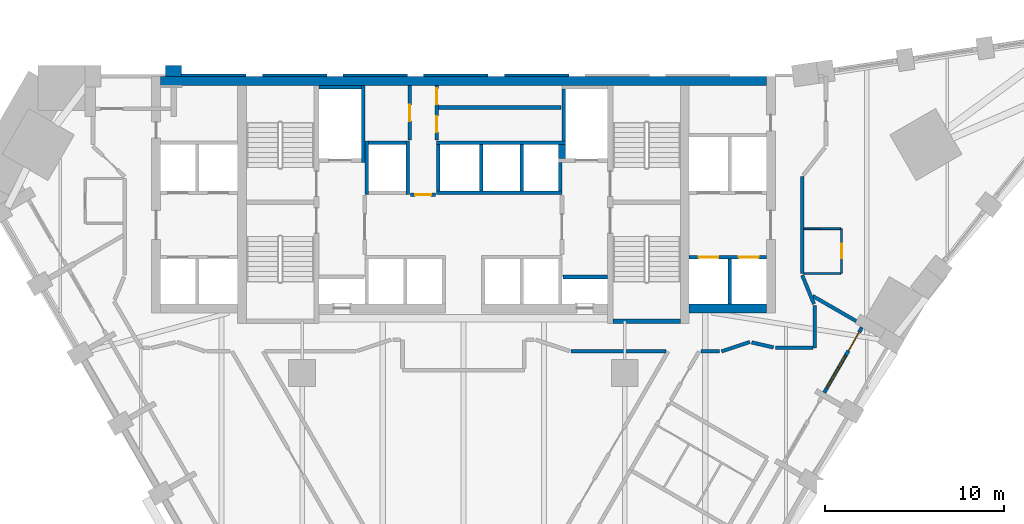
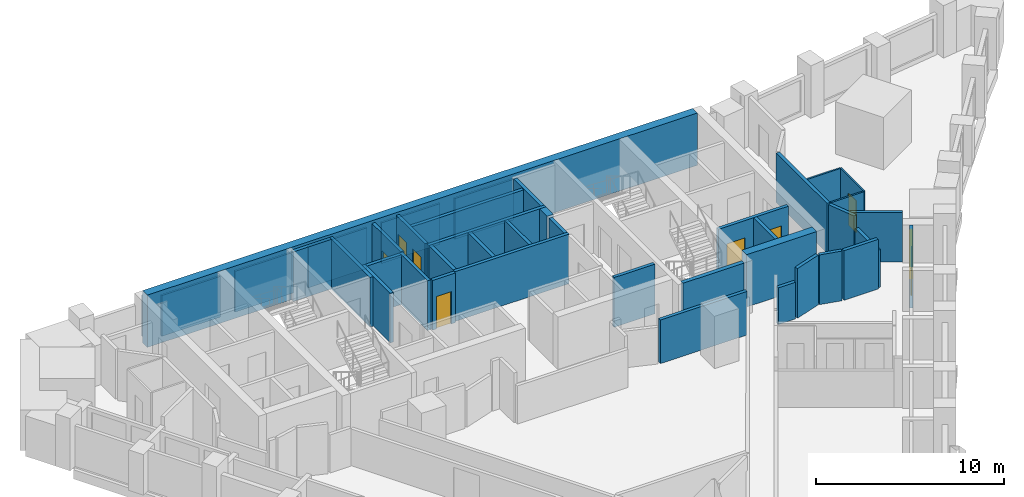
# One storey, part 7 of 10: 42 walls, 8 doors, 1 window, 9 openings.
"""IFC4 building model written with IfcOpenShell, lengths in metres."""

import ifcopenshell
import ifcopenshell.guid

model = None  # the IFC model being written
_history = None  # IfcOwnerHistory: only IFC2X3 demands one
_inside = {}  # id of a spatial element -> (the spatial element, [elements in it])
_under = {}  # id of a project, library or spatial element -> (it, [spatial elements below it])
_declared = {}  # id of a project -> (the project, [libraries it declares])
_typed = {}  # id of a type object -> (the type object, [elements of that type])
_made_of = {}  # id of a material, layer set ... -> (it, [elements and type objects made of it])


def new_model(schema):
    """Start an empty IFC model of exactly this schema.

    Asked for "IFC4X3", IfcOpenShell would pick the latest addendum, in which some entities
    have other attributes; the version numbers below select the first issue.
    IFC2X3 requires an IfcOwnerHistory on every rooted entity: one is made here for all.
    """
    global model, _history
    if schema == "IFC4X3":
        model = ifcopenshell.file(schema_version=(4, 3, 0, 0))
    else:
        model = ifcopenshell.file(schema=schema)
    _inside.clear()
    _under.clear()
    _declared.clear()
    _typed.clear()
    _made_of.clear()
    _history = None
    if model.schema == "IFC2X3":
        org = make("IfcOrganization", Name="unknown")
        user = make(
            "IfcPersonAndOrganization",
            ThePerson=make("IfcPerson", FamilyName="unknown"),
            TheOrganization=org,
        )
        app = make(
            "IfcApplication",
            ApplicationDeveloper=org,
            Version="unknown",
            ApplicationFullName="unknown",
            ApplicationIdentifier="unknown",
        )
        _history = make(
            "IfcOwnerHistory",
            OwningUser=user,
            OwningApplication=app,
            ChangeAction="ADDED",
            CreationDate=0,
        )
    return model


def make(cls, **values):
    """One entity of the class cls with the attributes given. An attribute that is None is left unset."""
    return model.create_entity(
        cls, **{name: value for name, value in values.items() if value is not None}
    )


def rooted(cls, **values):
    """An entity with a GlobalId (a new one), such as an element, a storey or a relation."""
    return make(cls, GlobalId=ifcopenshell.guid.new(), OwnerHistory=_history, **values)


def si_unit(unit_type, name, prefix=None):
    """IfcSIUnit, for example si_unit("LENGTHUNIT", "METRE", prefix="MILLI")."""
    return make("IfcSIUnit", UnitType=unit_type, Prefix=prefix, Name=name)


def assignment(units):
    """IfcUnitAssignment: the units of a project."""
    return None if units is None else make("IfcUnitAssignment", Units=units)


def point(xyz):
    """IfcCartesianPoint."""
    return None if xyz is None else make("IfcCartesianPoint", Coordinates=xyz)


def direction(xyz):
    """IfcDirection."""
    return None if xyz is None else make("IfcDirection", DirectionRatios=xyz)


def frame(location, z_axis=None, x_axis=None):
    """IfcAxis2Placement3D, a coordinate frame: its origin and axes. An axis left out is left unset."""
    return make(
        "IfcAxis2Placement3D",
        Location=point(location),
        Axis=direction(z_axis),
        RefDirection=direction(x_axis),
    )


def frame_2d(location, x_axis=None):
    """IfcAxis2Placement2D, a coordinate frame in the plane: its origin and x axis."""
    return make(
        "IfcAxis2Placement2D", Location=point(location), RefDirection=direction(x_axis)
    )


def origin():
    """The frame at (0, 0, 0) with its axes left unset."""
    return frame((0.0, 0.0, 0.0))


def place(relative_to, where):
    """IfcLocalPlacement: puts the frame where relative to a parent placement (None: the world)."""
    return make(
        "IfcLocalPlacement", PlacementRelTo=relative_to, RelativePlacement=where
    )


def context(
    kind, dimensions, precision=None, world=None, true_north=None, identifier=None
):
    """IfcGeometricRepresentationContext, for example the 3D "Model" context."""
    return make(
        "IfcGeometricRepresentationContext",
        ContextIdentifier=identifier,
        ContextType=kind,
        CoordinateSpaceDimension=dimensions,
        Precision=precision,
        WorldCoordinateSystem=world,
        TrueNorth=true_north,
    )


def subcontext(parent, identifier, kind, view, scale=None):
    """IfcGeometricRepresentationSubContext, for example "Body" below "Model"."""
    return make(
        "IfcGeometricRepresentationSubContext",
        ContextIdentifier=identifier,
        ContextType=kind,
        ParentContext=parent,
        TargetScale=scale,
        TargetView=view,
    )


def project(units=None, contexts=None):
    """IfcProject with its units and contexts."""
    return rooted(
        "IfcProject",
        Name="project",
        RepresentationContexts=contexts,
        UnitsInContext=assignment(units),
    )


def spatial(cls, under=None, at=None, **own):
    """A site, building, storey or space (cls), placed at a placement, below another one or the project."""
    s = rooted(cls, ObjectPlacement=at, **own)
    if under is not None:
        _under.setdefault(under.id(), (under, []))[1].append(s)
    return s


def polyline(points):
    """IfcPolyline through the points."""
    return make("IfcPolyline", Points=[point(p) for p in points])


def profile(cls, at=None, kind="AREA", **sizes):
    """A parametric profile (cls). Its sizes go by their IFC names, for example OverallWidth=200.0."""
    return make(cls, ProfileType=kind, Position=at, **sizes)


def rectangle(**sizes):
    """IfcRectangleProfileDef."""
    return profile("IfcRectangleProfileDef", **sizes)


def outline(outer, holes=None, kind="AREA"):
    """IfcArbitraryClosedProfileDef: a profile drawn as a closed curve; with holes, ...WithVoids."""
    if holes is None:
        return make("IfcArbitraryClosedProfileDef", ProfileType=kind, OuterCurve=outer)
    return make(
        "IfcArbitraryProfileDefWithVoids",
        ProfileType=kind,
        OuterCurve=outer,
        InnerCurves=holes,
    )


def extrude(swept, where, along, depth):
    """IfcExtrudedAreaSolid: the profile swept, set in the frame where, extruded along a direction by depth."""
    return make(
        "IfcExtrudedAreaSolid",
        SweptArea=swept,
        Position=where,
        ExtrudedDirection=direction(along),
        Depth=depth,
    )


def shape(context_of_items, identifier, shape_type, items):
    """IfcShapeRepresentation: the items that make up one representation, for example the "Body"."""
    return make(
        "IfcShapeRepresentation",
        ContextOfItems=context_of_items,
        RepresentationIdentifier=identifier,
        RepresentationType=shape_type,
        Items=items,
    )


def material(Name=None, Category=None):
    """IfcMaterial."""
    return make("IfcMaterial", Name=Name, Category=Category)


def layer(
    of_material, thickness, ventilated=None, Name=None, Category=None, Priority=None
):
    """IfcMaterialLayer: one layer of a wall or slab, of a material (None: an air gap)."""
    return make(
        "IfcMaterialLayer",
        Material=of_material,
        LayerThickness=thickness,
        IsVentilated=ventilated,
        Name=Name,
        Category=Category,
        Priority=Priority,
    )


def layer_set(layers, Name=None):
    """IfcMaterialLayerSet."""
    return make("IfcMaterialLayerSet", MaterialLayers=layers, LayerSetName=Name)


def made_of(thing, what):
    """Note that an element or type object is made of a material, layer set ...; save() writes the relation."""
    if what is not None:
        _made_of.setdefault(what.id(), (what, []))[1].append(thing)
    return thing


def type_object(cls, material=None, **own):
    """A type object (cls), such as IfcWallType, which elements share."""
    return made_of(rooted(cls, **own), material)


def element(
    cls,
    number,
    at=None,
    inside=None,
    cuts=None,
    type_object=None,
    material=None,
    context=None,
    identifier="Body",
    shape_type=None,
    held_by="IfcProductDefinitionShape",
    body=None,
    shapes=None,
    **own,
):
    """One element of the class cls, such as IfcWall. Its Tag is "e" and its number.

    at: its placement. inside: the storey or other place that contains it. cuts: it is an
    opening in that element (IfcRelVoidsElement). A single representation is given by context,
    identifier, shape_type and body (its items); several are given by shapes. held_by: the class
    of the entity that holds the representations. save() writes the other relations.
    """
    e = rooted(cls, Tag="e%d" % number, ObjectPlacement=at, **own)
    if body is not None:
        shapes = [shape(context, identifier, shape_type, body)]
    if shapes is not None:
        e.Representation = make(held_by, Representations=shapes)
    if inside is not None:
        _inside.setdefault(inside.id(), (inside, []))[1].append(e)
    if cuts is not None:
        rooted(
            "IfcRelVoidsElement", RelatingBuildingElement=cuts, RelatedOpeningElement=e
        )
    if type_object is not None:
        _typed.setdefault(type_object.id(), (type_object, []))[1].append(e)
    return made_of(e, material)


def fill(opening, filler):
    """IfcRelFillsElement: the door or window that sits in an opening."""
    return rooted(
        "IfcRelFillsElement",
        RelatingOpeningElement=opening,
        RelatedBuildingElement=filler,
    )


def aggregate(whole, parts):
    """IfcRelAggregates: a whole, such as a stair, and the parts it consists of."""
    return rooted("IfcRelAggregates", RelatingObject=whole, RelatedObjects=parts)


def save(model, path):
    """Write the relations noted so far, then the file.

    IfcRelAggregates (storeys below a building ...), IfcRelContainedInSpatialStructure (elements
    in a storey), IfcRelDefinesByType, IfcRelAssociatesMaterial and IfcRelDeclares: one each for
    every whole, place, type object, material and project.
    """
    for whole, parts in _under.values():
        aggregate(whole, parts)
    for where, things in _inside.values():
        rooted(
            "IfcRelContainedInSpatialStructure",
            RelatedElements=things,
            RelatingStructure=where,
        )
    for kind, things in _typed.values():
        rooted("IfcRelDefinesByType", RelatedObjects=things, RelatingType=kind)
    for what, things in _made_of.values():
        rooted("IfcRelAssociatesMaterial", RelatedObjects=things, RelatingMaterial=what)
    for by, libraries in _declared.values():
        rooted("IfcRelDeclares", RelatingContext=by, RelatedDefinitions=libraries)
    model.write(path)


model = new_model("IFC4")

# Units and contexts
model_context = context("Model", 3, precision=1e-05, world=origin(), true_north=direction((0.0, 1.0)))
body_context = subcontext(model_context, "Body", "Model", "MODEL_VIEW")
ifc_project = project(units=[si_unit("LENGTHUNIT", "METRE"), si_unit("AREAUNIT", "SQUARE_METRE"), si_unit("VOLUMEUNIT", "CUBIC_METRE"), si_unit("PLANEANGLEUNIT", "RADIAN"), si_unit("MASSUNIT", "GRAM", prefix="KILO")], contexts=[model_context])

# Site, building, storey
site_placement = place(None, origin())
site = spatial("IfcSite", under=ifc_project, at=site_placement, CompositionType="ELEMENT")
building_placement = place(site_placement, origin())
building = spatial("IfcBuilding", under=site, at=building_placement, Name="Calabash Gate Tower", CompositionType="ELEMENT")
storey_placement = place(building_placement, frame((0.0, 0.0, 105.39990234375)))
storey = spatial("IfcBuildingStorey", under=building, at=storey_placement, Name="L23", CompositionType="ELEMENT", Elevation=105.39990234375)

# Walls
ifc_material_1 = material(Name="Terracotta brick masonry, exposed face", Category="masonry")
ifc_layer_1 = layer(ifc_material_1, 1.199951171875)
ifc_layer_set_1 = layer_set([ifc_layer_1], Name="Brick end wall 1200")
wall_type_1 = type_object("IfcWallType", Name="Brick end wall 1200", PredefinedType="SOLIDWALL", material=ifc_layer_set_1)
wall_1_placement = place(storey_placement, origin())
element("IfcWall", 1, at=wall_1_placement, inside=storey, type_object=wall_type_1, Name="Brick pier S06 N6.7a", PredefinedType="SOLIDWALL", context=body_context, shape_type="SweptSolid", body=[
    extrude(outline(polyline([(-15.718994140625, 19.052490234375), (-15.718994140625, 19.652587890625), (-16.619140625, 19.652587890625), (-16.619140625, 19.052490234375), (-15.718994140625, 19.052490234375)])), origin(), (0.0, 0.0, 1.0), 2.650146484375),
])
ifc_material_2 = material(Name="Concrete C80/95", Category="concrete")
ifc_layer_2 = layer(ifc_material_2, 0.25)
ifc_layer_set_2 = layer_set([ifc_layer_2], Name="Core wall 250 Concrete C80/95")
wall_type_2 = type_object("IfcWallType", Name="Core wall 250 Concrete C80/95", PredefinedType="SHEAR", material=ifc_layer_set_2)
wall_2_placement = place(storey_placement, frame((8.35009765625, 5.377685546875, 0.0), z_axis=(0.0, 0.0, 1.0), x_axis=(1.0, 0.0, 0.0)))
element("IfcWall", 2, at=wall_2_placement, inside=storey, type_object=wall_type_2, Name="Core wall Z2-SSE L23", PredefinedType="SHEAR", context=body_context, shape_type="SweptSolid", body=[
    extrude(rectangle(XDim=3.75, YDim=0.25, at=frame_2d((1.875, 0.0))), origin(), (0.0, 0.0, 1.0), 3.400146484375),
])
ifc_material_3 = material(Name="Concrete C80/95", Category="concrete")
ifc_layer_3 = layer(ifc_material_3, 0.5)
ifc_layer_set_3 = layer_set([ifc_layer_3], Name="Core wall 500 Concrete C80/95")
wall_type_3 = type_object("IfcWallType", Name="Core wall 500 Concrete C80/95", PredefinedType="SHEAR", material=ifc_layer_set_3)
wall_3_placement = place(storey_placement, frame((-16.89990234375, 18.802490234375, 0.0), z_axis=(0.0, 0.0, 1.0), x_axis=(1.0, 0.0, 0.0)))
element("IfcWall", 3, at=wall_3_placement, inside=storey, type_object=wall_type_3, Name="Core wall Z2-N L23", PredefinedType="SHEAR", context=body_context, shape_type="SweptSolid", body=[
    extrude(rectangle(XDim=33.7998046875, YDim=0.5, at=frame_2d((16.89990234375, 0.0))), origin(), (0.0, 0.0, 1.0), 3.400146484375),
])
wall_4_placement = place(storey_placement, frame((12.60009765625, 6.1025390625, 0.0), z_axis=(0.0, 0.0, 1.0), x_axis=(1.0, 0.0, 0.0)))
element("IfcWall", 4, at=wall_4_placement, inside=storey, type_object=wall_type_3, Name="Core wall Z2-SE L23", PredefinedType="SHEAR", context=body_context, shape_type="SweptSolid", body=[
    extrude(rectangle(XDim=4.2998046875, YDim=0.5, at=frame_2d((2.14990234375, 0.0))), origin(), (0.0, 0.0, 1.0), 3.400146484375),
])
ifc_material_4 = material(Name="Gypsum board on steel studs, mineral wool", Category="steel")
ifc_layer_4 = layer(ifc_material_4, 0.10009765625)
ifc_layer_set_4 = layer_set([ifc_layer_4], Name="Partition 100 gypsum board")
wall_type_4 = type_object("IfcWallType", Name="Partition 100 gypsum board", PredefinedType="PARTITIONING", material=ifc_layer_set_4)
wall_5_placement = place(storey_placement, frame((19.00048828125, 8.05419921875, 0.0), z_axis=(0.0, 0.0, 1.0), x_axis=(0.999999744716, -0.000714540725, 0.0)))
element("IfcWall", 5, at=wall_5_placement, inside=storey, type_object=wall_type_4, Name="Partition", PredefinedType="PARTITIONING", context=body_context, shape_type="SweptSolid", body=[
    extrude(rectangle(XDim=2.050048828125, YDim=0.10009765625, at=frame_2d((1.02490234375, 0.0))), origin(), (0.0, 0.0, 1.0), 3.22998046875),
])

# Wall, opening, door
wall_6_placement = place(storey_placement, frame((21.1005859375, 8.052734375, 0.0), z_axis=(0.0, 0.0, 1.0), x_axis=(0.0, 1.0, 0.0)))
wall_6 = element("IfcWall", 6, at=wall_6_placement, inside=storey, type_object=wall_type_4, Name="Partition", PredefinedType="PARTITIONING", context=body_context, shape_type="SweptSolid", body=[
    extrude(rectangle(XDim=2.5, YDim=0.10009765625, at=frame_2d((1.25, 0.0))), origin(), (0.0, 0.0, 1.0), 3.22998046875),
])
opening_1_placement = place(wall_6_placement, frame((0.85009765625, 0.0, 0.0)))
opening_1 = element("IfcOpeningElement", 7, at=opening_1_placement, cuts=wall_6, Name="Opening 22-24-010", PredefinedType="OPENING", context=body_context, shape_type="SweptSolid", body=[
    extrude(rectangle(XDim=0.800048828125, YDim=2.10009765625, at=frame_2d((0.39990234375, 1.050048828125))), frame((0.0, 0.06005859375, 0.0), z_axis=(0.0, -1.0, 0.0), x_axis=(1.0, 0.0, 0.0)), (0.0, 0.0, 1.0), 0.1201171875),
])
ifc_material_5 = material(Name="Painted timber door", Category="wood")
door_type_1 = type_object("IfcDoorType", Name="GD5 En-suite door 800x2100", OperationType="NOTDEFINED", PredefinedType="DOOR", material=ifc_material_5)
door_1_placement = place(opening_1_placement, origin())
door_1 = element("IfcDoor", 8, at=door_1_placement, inside=storey, type_object=door_type_1, Name="En-suite door", OperationType="SINGLE_SWING_LEFT", OverallHeight=2.10009765625, OverallWidth=0.800048828125, PredefinedType="DOOR", context=body_context, shape_type="SweptSolid", body=[
    extrude(rectangle(XDim=0.800048828125, YDim=2.10009765625, at=frame_2d((0.39990234375, 1.050048828125))), frame((0.0, 0.02490234375, 0.0), z_axis=(0.0, -1.0, 0.0), x_axis=(1.0, 0.0, 0.0)), (0.0, 0.0, 1.0), 0.050048828125),
])
fill(opening_1, door_1)

# Walls
wall_7_placement = place(storey_placement, frame((19.00048828125, 10.551025390625, 0.0), z_axis=(0.0, 0.0, 1.0), x_axis=(0.999999744716, 0.000714540725, 0.0)))
element("IfcWall", 9, at=wall_7_placement, inside=storey, type_object=wall_type_4, Name="Partition", PredefinedType="PARTITIONING", context=body_context, shape_type="SweptSolid", body=[
    extrude(rectangle(XDim=2.050048828125, YDim=0.10009765625, at=frame_2d((1.02490234375, 0.0))), origin(), (0.0, 0.0, 1.0), 3.22998046875),
])
ifc_material_6 = material(Name="Gypsum board on steel studs, mineral wool", Category="steel")
ifc_layer_5 = layer(ifc_material_6, 0.199951171875)
ifc_layer_set_5 = layer_set([ifc_layer_5], Name="Partition 200 gypsum board EI 60")
wall_type_5 = type_object("IfcWallType", Name="Partition 200 gypsum board EI 60", PredefinedType="PARTITIONING", material=ifc_layer_set_5)
wall_8_placement = place(storey_placement, frame((6.0, 3.69970703125, 0.0), z_axis=(0.0, 0.0, 1.0), x_axis=(1.0, 0.0, 0.0)))
element("IfcWall", 10, at=wall_8_placement, inside=storey, type_object=wall_type_5, Name="Partition", PredefinedType="PARTITIONING", context=body_context, shape_type="SweptSolid", body=[
    extrude(rectangle(XDim=5.314697265625, YDim=0.199951171875, at=frame_2d((2.6572265625, 0.0))), origin(), (0.0, 0.0, 1.0), 2.831787109375),
])
wall_9_placement = place(storey_placement, frame((13.24755859375, 3.699462890625, 0.0), z_axis=(0.0, 0.0, 1.0), x_axis=(1.0, 0.0, 0.0)))
element("IfcWall", 11, at=wall_9_placement, inside=storey, type_object=wall_type_5, Name="Partition", PredefinedType="PARTITIONING", context=body_context, shape_type="SweptSolid", body=[
    extrude(rectangle(XDim=1.052490234375, YDim=0.199951171875, at=frame_2d((0.5263671875, 0.0))), origin(), (0.0, 0.0, 1.0), 2.38427734375),
])
wall_10_placement = place(storey_placement, frame((14.400146484375, 3.699462890625, 0.0), z_axis=(0.0, 0.0, 1.0), x_axis=(0.948683298051, 0.316227766017, 0.0)))
element("IfcWall", 12, at=wall_10_placement, inside=storey, type_object=wall_type_5, Name="Partition", PredefinedType="PARTITIONING", context=body_context, shape_type="SweptSolid", body=[
    extrude(rectangle(XDim=1.66845703125, YDim=0.199951171875, at=frame_2d((0.834228515625, 0.0))), origin(), (0.0, 0.0, 1.0), 3.22998046875),
])
wall_11_placement = place(storey_placement, frame((17.39990234375, 3.8994140625, 0.0), z_axis=(0.0, 0.0, 1.0), x_axis=(0.999999993243, 0.000116252034, 0.0)))
element("IfcWall", 13, at=wall_11_placement, inside=storey, type_object=wall_type_5, Name="Partition", PredefinedType="PARTITIONING", context=body_context, shape_type="SweptSolid", body=[
    extrude(rectangle(XDim=2.10009765625, YDim=0.199951171875, at=frame_2d((1.050048828125, 0.0))), origin(), (0.0, 0.0, 1.0), 3.22998046875),
])
wall_12_placement = place(storey_placement, frame((19.60009765625, 3.899658203125, 0.0), z_axis=(0.0, 0.0, 1.0), x_axis=(0.000207511927, 0.999999978469, 0.0)))
element("IfcWall", 14, at=wall_12_placement, inside=storey, type_object=wall_type_5, Name="Partition", PredefinedType="PARTITIONING", context=body_context, shape_type="SweptSolid", body=[
    extrude(rectangle(XDim=2.35302734375, YDim=0.199951171875, at=frame_2d((1.176513671875, 0.0))), origin(), (0.0, 0.0, 1.0), 2.4501953125),
])
wall_13_placement = place(storey_placement, frame((16.080322265625, 4.20458984375, 0.0), z_axis=(0.0, 0.0, 1.0), x_axis=(0.974315694548, -0.225186428005, 0.0)))
element("IfcWall", 15, at=wall_13_placement, inside=storey, type_object=wall_type_5, Name="Partition", PredefinedType="PARTITIONING", context=body_context, shape_type="SweptSolid", body=[
    extrude(rectangle(XDim=1.25439453125, YDim=0.199951171875, at=frame_2d((0.627197265625, 0.0))), origin(), (0.0, 0.0, 1.0), 3.22998046875),
])
wall_14_placement = place(storey_placement, frame((18.904296875, 7.9541015625, 0.0), z_axis=(0.0, 0.0, 1.0), x_axis=(0.378643783121, -0.925542481739, 0.0)))
element("IfcWall", 16, at=wall_14_placement, inside=storey, type_object=wall_type_5, Name="Partition", PredefinedType="PARTITIONING", context=body_context, shape_type="SweptSolid", body=[
    extrude(rectangle(XDim=1.73828125, YDim=0.199951171875, at=frame_2d((0.869140625, 0.0))), origin(), (0.0, 0.0, 1.0), 3.22998046875),
])
wall_15_placement = place(storey_placement, frame((19.487060546875, 6.794189453125, 0.0), z_axis=(0.0, 0.0, 1.0), x_axis=(0.866320237392, -0.499488985149, 0.0)))
element("IfcWall", 17, at=wall_15_placement, inside=storey, type_object=wall_type_5, Name="Partition", PredefinedType="PARTITIONING", context=body_context, shape_type="SweptSolid", body=[
    extrude(rectangle(XDim=2.806640625, YDim=0.199951171875, at=frame_2d((1.4033203125, 0.0))), origin(), (0.0, 0.0, 1.0), 3.22998046875),
])
wall_16_placement = place(storey_placement, frame((18.902099609375, 8.052734375, 0.0), z_axis=(0.0, 0.0, 1.0), x_axis=(0.0, 1.0, 0.0)))
element("IfcWall", 18, at=wall_16_placement, inside=storey, type_object=wall_type_5, Name="Partition", PredefinedType="PARTITIONING", context=body_context, shape_type="SweptSolid", body=[
    extrude(rectangle(XDim=5.399658203125, YDim=0.199951171875, at=frame_2d((2.69970703125, 0.0))), origin(), (0.0, 0.0, 1.0), 3.22998046875),
])
ifc_material_7 = material(Name="Concrete C40/50", Category="concrete")
ifc_layer_6 = layer(ifc_material_7, 0.199951171875)
ifc_layer_set_6 = layer_set([ifc_layer_6], Name="Shaft wall 200 Concrete C40/50")
wall_type_6 = type_object("IfcWallType", Name="Shaft wall 200 Concrete C40/50", PredefinedType="SOLIDWALL", material=ifc_layer_set_6)
for number, where, z_axis, x_axis, name in (
    (19, (14.85009765625, 6.3525390625, 0.0), (0.0, 0.0, 1.0), (0.0, 1.0, 0.0), "Shaft wall"),
    (20, (5.550048828125, 7.8525390625, 0.0), (0.0, 0.0, 1.0), (1.0, 0.0, 0.0), "Shaft wall"),
):
    element("IfcWall", number, at=place(storey_placement, frame(where, z_axis=z_axis, x_axis=x_axis)), inside=storey, type_object=wall_type_6, Name=name, PredefinedType="SOLIDWALL", context=body_context, shape_type="SweptSolid", body=[
        extrude(rectangle(XDim=2.5, YDim=0.199951171875, at=frame_2d((1.25, 0.0))), origin(), (0.0, 0.0, 1.0), 3.22998046875),
    ])

# Wall, openings, doors
wall_17_placement = place(storey_placement, frame((12.60009765625, 8.95263671875, 0.0), z_axis=(0.0, 0.0, 1.0), x_axis=(1.0, 0.0, 0.0)))
wall_17 = element("IfcWall", 21, at=wall_17_placement, inside=storey, type_object=wall_type_6, Name="Shaft wall", PredefinedType="SOLIDWALL", context=body_context, shape_type="SweptSolid", body=[
    extrude(rectangle(XDim=4.2998046875, YDim=0.199951171875, at=frame_2d((2.14990234375, 0.0))), origin(), (0.0, 0.0, 1.0), 3.22998046875),
])
opening_2_placement = place(wall_17_placement, frame((0.52490234375, 0.0, 0.0)))
opening_2 = element("IfcOpeningElement", 22, at=opening_2_placement, cuts=wall_17, Name="Opening LD-LR5", PredefinedType="OPENING", context=body_context, shape_type="SweptSolid", body=[
    extrude(rectangle(XDim=1.10009765625, YDim=2.10009765625, at=frame_2d((0.550048828125, 1.050048828125))), frame((0.0, 0.10986328125, 0.0), z_axis=(0.0, -1.0, 0.0), x_axis=(1.0, 0.0, 0.0)), (0.0, 0.0, 1.0), 0.219970703125),
])
opening_3_placement = place(wall_17_placement, frame((2.77490234375, 0.0, 0.0)))
opening_3 = element("IfcOpeningElement", 23, at=opening_3_placement, cuts=wall_17, Name="Opening LD-LR6", PredefinedType="OPENING", context=body_context, shape_type="SweptSolid", body=[
    extrude(rectangle(XDim=1.10009765625, YDim=2.10009765625, at=frame_2d((0.550048828125, 1.050048828125))), frame((0.0, 0.10986328125, 0.0), z_axis=(0.0, -1.0, 0.0), x_axis=(1.0, 0.0, 0.0)), (0.0, 0.0, 1.0), 0.219970703125),
])
ifc_material_8 = material(Name="Stainless steel sliding door leaves", Category="steel")
door_type_2 = type_object("IfcDoorType", Name="Lift landing door LS1 1100x2100 FD90", OperationType="DOUBLE_DOOR_SLIDING", PredefinedType="DOOR", material=ifc_material_8)
door_2_placement = place(opening_2_placement, origin())
door_2 = element("IfcDoor", 24, at=door_2_placement, inside=storey, type_object=door_type_2, Name="Lift landing door LR5", OperationType="DOUBLE_DOOR_SLIDING", OverallHeight=2.10009765625, OverallWidth=1.10009765625, PredefinedType="DOOR", context=body_context, shape_type="SweptSolid", body=[
    extrude(rectangle(XDim=1.10009765625, YDim=2.10009765625, at=frame_2d((0.550048828125, 1.050048828125))), frame((0.0, 0.02490234375, 0.0), z_axis=(0.0, -1.0, 0.0), x_axis=(1.0, 0.0, 0.0)), (0.0, 0.0, 1.0), 0.050048828125),
])
fill(opening_2, door_2)
door_3_placement = place(opening_3_placement, origin())
door_3 = element("IfcDoor", 25, at=door_3_placement, inside=storey, type_object=door_type_2, Name="Lift landing door LR6", OperationType="DOUBLE_DOOR_SLIDING", OverallHeight=2.10009765625, OverallWidth=1.10009765625, PredefinedType="DOOR", context=body_context, shape_type="SweptSolid", body=[
    extrude(rectangle(XDim=1.10009765625, YDim=2.10009765625, at=frame_2d((0.550048828125, 1.050048828125))), frame((0.0, 0.02490234375, 0.0), z_axis=(0.0, -1.0, 0.0), x_axis=(1.0, 0.0, 0.0)), (0.0, 0.0, 1.0), 0.050048828125),
])
fill(opening_3, door_3)

# Wall, opening, door
wall_18_placement = place(storey_placement, frame((-2.949951171875, 12.45263671875, 0.0), z_axis=(0.0, 0.0, 1.0), x_axis=(1.0, 0.0, 0.0)))
wall_18 = element("IfcWall", 26, at=wall_18_placement, inside=storey, type_object=wall_type_6, Name="Shaft wall", PredefinedType="SOLIDWALL", context=body_context, shape_type="SweptSolid", body=[
    extrude(rectangle(XDim=1.39990234375, YDim=0.199951171875, at=frame_2d((0.699951171875, 0.0))), origin(), (0.0, 0.0, 1.0), 3.22998046875),
])
opening_4_placement = place(wall_18_placement, frame((0.25, 0.0, 0.0)))
opening_4 = element("IfcOpeningElement", 27, at=opening_4_placement, cuts=wall_18, Name="Opening H6-005", PredefinedType="OPENING", context=body_context, shape_type="SweptSolid", body=[
    extrude(rectangle(XDim=0.89990234375, YDim=2.10009765625, at=frame_2d((0.449951171875, 1.050048828125))), frame((0.0, 0.10986328125, 0.0), z_axis=(0.0, -1.0, 0.0), x_axis=(1.0, 0.0, 0.0)), (0.0, 0.0, 1.0), 0.219970703125),
])
ifc_material_9 = material(Name="Steel fire door set with fire-resisting glazing", Category="steel")
door_type_3 = type_object("IfcDoorType", Name="Fire door D06 900x2100 FD60", OperationType="NOTDEFINED", PredefinedType="DOOR", material=ifc_material_9)
door_4_placement = place(opening_4_placement, origin())
door_4 = element("IfcDoor", 28, at=door_4_placement, inside=storey, type_object=door_type_3, Name="Service Corridor door", OperationType="SINGLE_SWING_RIGHT", OverallHeight=2.10009765625, OverallWidth=0.89990234375, PredefinedType="DOOR", context=body_context, shape_type="SweptSolid", body=[
    extrude(rectangle(XDim=0.89990234375, YDim=2.10009765625, at=frame_2d((0.449951171875, 1.050048828125))), frame((0.0, 0.02490234375, 0.0), z_axis=(0.0, -1.0, 0.0), x_axis=(1.0, 0.0, 0.0)), (0.0, 0.0, 1.0), 0.050048828125),
])
fill(opening_4, door_4)

# Walls
for number, where, z_axis, x_axis, name in (
    (29, (-5.39990234375, 12.45263671875, 0.0), (0.0, 0.0, 1.0), (0.0, 1.0, 0.0), "Shaft wall"),
    (30, (-3.10009765625, 12.45263671875, 0.0), (0.0, 0.0, 1.0), (0.0, 1.0, 0.0), "Shaft wall"),
):
    element("IfcWall", number, at=place(storey_placement, frame(where, z_axis=z_axis, x_axis=x_axis)), inside=storey, type_object=wall_type_6, Name=name, PredefinedType="SOLIDWALL", context=body_context, shape_type="SweptSolid", body=[
        extrude(rectangle(XDim=3.0, YDim=0.199951171875, at=frame_2d((1.5, 0.0))), origin(), (0.0, 0.0, 1.0), 3.22998046875),
    ])
wall_19_placement = place(storey_placement, frame((-1.5, 12.552490234375, 0.0), z_axis=(0.0, 0.0, 1.0), x_axis=(1.0, 0.0, 0.0)))
element("IfcWall", 31, at=wall_19_placement, inside=storey, type_object=wall_type_6, Name="Shaft wall", PredefinedType="SOLIDWALL", context=body_context, shape_type="SweptSolid", body=[
    extrude(rectangle(XDim=7.0, YDim=0.199951171875, at=frame_2d((3.5, 0.0))), origin(), (0.0, 0.0, 1.0), 3.22998046875),
])
for number, where, z_axis, x_axis, name in (
    (32, (-1.39990234375, 12.652587890625, 0.0), (0.0, 0.0, 1.0), (0.0, 1.0, 0.0), "Shaft wall"),
    (33, (1.0, 12.652587890625, 0.0), (0.0, 0.0, 1.0), (0.0, 1.0, 0.0), "Shaft wall"),
    (34, (3.25, 12.652587890625, 0.0), (0.0, 0.0, 1.0), (0.0, 1.0, 0.0), "Shaft wall"),
):
    element("IfcWall", number, at=place(storey_placement, frame(where, z_axis=z_axis, x_axis=x_axis)), inside=storey, type_object=wall_type_6, Name=name, PredefinedType="SOLIDWALL", context=body_context, shape_type="SweptSolid", body=[
        extrude(rectangle(XDim=2.60009765625, YDim=0.199951171875, at=frame_2d((1.300048828125, 0.0))), origin(), (0.0, 0.0, 1.0), 3.22998046875),
    ])
wall_20_placement = place(storey_placement, frame((5.39990234375, 12.652587890625, 0.0), z_axis=(0.0, 0.0, 1.0), x_axis=(0.0, 1.0, 0.0)))
element("IfcWall", 35, at=wall_20_placement, inside=storey, type_object=wall_type_6, Name="Shaft wall", PredefinedType="SOLIDWALL", context=body_context, shape_type="SweptSolid", body=[
    extrude(rectangle(XDim=1.60009765625, YDim=0.199951171875, at=frame_2d((0.800048828125, 0.0))), origin(), (0.0, 0.0, 1.0), 3.22998046875),
])
wall_21_placement = place(storey_placement, frame((-5.60009765625, 14.252685546875, 0.0), z_axis=(0.0, 0.0, 1.0), x_axis=(0.0, 1.0, 0.0)))
element("IfcWall", 36, at=wall_21_placement, inside=storey, type_object=wall_type_6, Name="Shaft wall", PredefinedType="SOLIDWALL", context=body_context, shape_type="SweptSolid", body=[
    extrude(rectangle(XDim=4.2998046875, YDim=0.199951171875, at=frame_2d((2.14990234375, 0.0))), origin(), (0.0, 0.0, 1.0), 3.22998046875),
])
wall_22_placement = place(storey_placement, frame((5.5, 14.45263671875, 0.0), z_axis=(0.0, 0.0, 1.0), x_axis=(0.0, 1.0, 0.0)))
element("IfcWall", 37, at=wall_22_placement, inside=storey, type_object=wall_type_6, Name="Shaft wall", PredefinedType="SOLIDWALL", context=body_context, shape_type="SweptSolid", body=[
    extrude(rectangle(XDim=0.800048828125, YDim=0.39990234375, at=frame_2d((0.39990234375, 0.0))), origin(), (0.0, 0.0, 1.0), 3.22998046875),
])
wall_23_placement = place(storey_placement, frame((-5.300048828125, 15.3525390625, 0.0), z_axis=(0.0, 0.0, 1.0), x_axis=(1.0, 0.0, 0.0)))
element("IfcWall", 38, at=wall_23_placement, inside=storey, type_object=wall_type_6, Name="Shaft wall", PredefinedType="SOLIDWALL", context=body_context, shape_type="SweptSolid", body=[
    extrude(rectangle(XDim=2.10009765625, YDim=0.199951171875, at=frame_2d((1.050048828125, 0.0))), origin(), (0.0, 0.0, 1.0), 3.22998046875),
])
wall_24_placement = place(storey_placement, frame((-1.5, 15.3525390625, 0.0), z_axis=(0.0, 0.0, 1.0), x_axis=(1.0, 0.0, 0.0)))
element("IfcWall", 39, at=wall_24_placement, inside=storey, type_object=wall_type_6, Name="Shaft wall", PredefinedType="SOLIDWALL", context=body_context, shape_type="SweptSolid", body=[
    extrude(rectangle(XDim=7.199951171875, YDim=0.199951171875, at=frame_2d((3.60009765625, 0.0))), origin(), (0.0, 0.0, 1.0), 3.22998046875),
])
wall_25_placement = place(storey_placement, frame((5.60009765625, 15.45263671875, 0.0), z_axis=(0.0, 0.0, 1.0), x_axis=(0.0, 1.0, 0.0)))
element("IfcWall", 40, at=wall_25_placement, inside=storey, type_object=wall_type_6, Name="Shaft wall", PredefinedType="SOLIDWALL", context=body_context, shape_type="SweptSolid", body=[
    extrude(rectangle(XDim=2.89990234375, YDim=0.199951171875, at=frame_2d((1.449951171875, 0.0))), origin(), (0.0, 0.0, 1.0), 3.22998046875),
])

# Wall, opening, door
wall_26_placement = place(storey_placement, frame((-3.0, 15.502685546875, 0.0), z_axis=(0.0, 0.0, 1.0), x_axis=(0.0, 1.0, 0.0)))
wall_26 = element("IfcWall", 41, at=wall_26_placement, inside=storey, type_object=wall_type_6, Name="Shaft wall", PredefinedType="SOLIDWALL", context=body_context, shape_type="SweptSolid", body=[
    extrude(rectangle(XDim=3.0498046875, YDim=0.199951171875, at=frame_2d((1.52490234375, 0.0))), origin(), (0.0, 0.0, 1.0), 3.22998046875),
])
opening_5_placement = place(wall_26_placement, frame((1.050048828125, 0.0, 0.0)))
opening_5 = element("IfcOpeningElement", 42, at=opening_5_placement, cuts=wall_26, Name="Opening H6-008", PredefinedType="OPENING", context=body_context, shape_type="SweptSolid", body=[
    extrude(rectangle(XDim=0.89990234375, YDim=2.10009765625, at=frame_2d((0.449951171875, 1.050048828125))), frame((0.0, 0.10986328125, 0.0), z_axis=(0.0, -1.0, 0.0), x_axis=(1.0, 0.0, 0.0)), (0.0, 0.0, 1.0), 0.219970703125),
])
door_5_placement = place(opening_5_placement, origin())
door_5 = element("IfcDoor", 43, at=door_5_placement, inside=storey, type_object=door_type_3, Name="Luggage Store door", OperationType="SINGLE_SWING_LEFT", OverallHeight=2.10009765625, OverallWidth=0.89990234375, PredefinedType="DOOR", context=body_context, shape_type="SweptSolid", body=[
    extrude(rectangle(XDim=0.89990234375, YDim=2.10009765625, at=frame_2d((0.449951171875, 1.050048828125))), frame((0.0, 0.02490234375, 0.0), z_axis=(0.0, -1.0, 0.0), x_axis=(1.0, 0.0, 0.0)), (0.0, 0.0, 1.0), 0.050048828125),
])
fill(opening_5, door_5)

# Wall, openings, doors
wall_27_placement = place(storey_placement, frame((-1.5, 15.502685546875, 0.0), z_axis=(0.0, 0.0, 1.0), x_axis=(0.0, 1.0, 0.0)))
wall_27 = element("IfcWall", 44, at=wall_27_placement, inside=storey, type_object=wall_type_6, Name="Shaft wall", PredefinedType="SOLIDWALL", context=body_context, shape_type="SweptSolid", body=[
    extrude(rectangle(XDim=3.0498046875, YDim=0.199951171875, at=frame_2d((1.52490234375, 0.0))), origin(), (0.0, 0.0, 1.0), 3.22998046875),
])
opening_6_placement = place(wall_27_placement, frame((0.429931640625, 0.0, 0.0)))
opening_6 = element("IfcOpeningElement", 45, at=opening_6_placement, cuts=wall_27, Name="Opening H6-009", PredefinedType="OPENING", context=body_context, shape_type="SweptSolid", body=[
    extrude(rectangle(XDim=0.89990234375, YDim=2.10009765625, at=frame_2d((0.449951171875, 1.050048828125))), frame((0.0, 0.10986328125, 0.0), z_axis=(0.0, -1.0, 0.0), x_axis=(1.0, 0.0, 0.0)), (0.0, 0.0, 1.0), 0.219970703125),
])
opening_7_placement = place(wall_27_placement, frame((1.97998046875, 0.0, 0.0)))
opening_7 = element("IfcOpeningElement", 46, at=opening_7_placement, cuts=wall_27, Name="Opening H6-010", PredefinedType="OPENING", context=body_context, shape_type="SweptSolid", body=[
    extrude(rectangle(XDim=0.89990234375, YDim=2.10009765625, at=frame_2d((0.449951171875, 1.050048828125))), frame((0.0, 0.10986328125, 0.0), z_axis=(0.0, -1.0, 0.0), x_axis=(1.0, 0.0, 0.0)), (0.0, 0.0, 1.0), 0.219970703125),
])
door_6_placement = place(opening_6_placement, origin())
door_6 = element("IfcDoor", 47, at=door_6_placement, inside=storey, type_object=door_type_3, Name="Comms Room door", OperationType="SINGLE_SWING_LEFT", OverallHeight=2.10009765625, OverallWidth=0.89990234375, PredefinedType="DOOR", context=body_context, shape_type="SweptSolid", body=[
    extrude(rectangle(XDim=0.89990234375, YDim=2.10009765625, at=frame_2d((0.449951171875, 1.050048828125))), frame((0.0, 0.02490234375, 0.0), z_axis=(0.0, -1.0, 0.0), x_axis=(1.0, 0.0, 0.0)), (0.0, 0.0, 1.0), 0.050048828125),
])
fill(opening_6, door_6)
door_7_placement = place(opening_7_placement, origin())
door_7 = element("IfcDoor", 48, at=door_7_placement, inside=storey, type_object=door_type_3, Name="Housekeeping Store door", OperationType="SINGLE_SWING_LEFT", OverallHeight=2.10009765625, OverallWidth=0.89990234375, PredefinedType="DOOR", context=body_context, shape_type="SweptSolid", body=[
    extrude(rectangle(XDim=0.89990234375, YDim=2.10009765625, at=frame_2d((0.449951171875, 1.050048828125))), frame((0.0, 0.02490234375, 0.0), z_axis=(0.0, -1.0, 0.0), x_axis=(1.0, 0.0, 0.0)), (0.0, 0.0, 1.0), 0.050048828125),
])
fill(opening_7, door_7)

# Walls
wall_28_placement = place(storey_placement, frame((-1.39990234375, 17.3125, 0.0), z_axis=(0.0, 0.0, 1.0), x_axis=(1.0, 0.0, 0.0)))
element("IfcWall", 49, at=wall_28_placement, inside=storey, type_object=wall_type_6, Name="Shaft wall", PredefinedType="SOLIDWALL", context=body_context, shape_type="SweptSolid", body=[
    extrude(rectangle(XDim=6.849853515625, YDim=0.199951171875, at=frame_2d((3.4248046875, 0.0))), origin(), (0.0, 0.0, 1.0), 3.22998046875),
])
wall_29_placement = place(storey_placement, frame((-8.050048828125, 18.45263671875, 0.0), z_axis=(0.0, 0.0, 1.0), x_axis=(1.0, 0.0, 0.0)))
element("IfcWall", 50, at=wall_29_placement, inside=storey, type_object=wall_type_6, Name="Shaft wall", PredefinedType="SOLIDWALL", context=body_context, shape_type="SweptSolid", body=[
    extrude(rectangle(XDim=2.35009765625, YDim=0.199951171875, at=frame_2d((1.175048828125, 0.0))), origin(), (0.0, 0.0, 1.0), 3.22998046875),
])
ifc_material_10 = material(Name="Terracotta brick masonry, perforated", Category="masonry")
ifc_layer_7 = layer(ifc_material_10, 0.1201171875)
ifc_layer_set_7 = layer_set([ifc_layer_7], Name="Terracotta jaali cladding B 120")
wall_type_7 = type_object("IfcWallType", Name="Terracotta jaali cladding B 120", PredefinedType="SOLIDWALL", material=ifc_layer_set_7)
wall_30_placement = place(storey_placement, origin())
element("IfcWall", 51, at=wall_30_placement, inside=storey, type_object=wall_type_7, Name="Jaali cladding S06 N6.3", PredefinedType="SOLIDWALL", context=body_context, shape_type="SweptSolid", body=[
    extrude(outline(polyline([(2.281005859375, 19.172607421875), (2.281005859375, 19.052490234375), (5.880859375, 19.052490234375), (5.880859375, 19.172607421875), (2.281005859375, 19.172607421875)])), origin(), (0.0, 0.0, 1.0), 2.650146484375),
])
wall_31_placement = place(storey_placement, origin())
element("IfcWall", 52, at=wall_31_placement, inside=storey, type_object=wall_type_7, Name="Jaali cladding S06 N6.5", PredefinedType="SOLIDWALL", context=body_context, shape_type="SweptSolid", body=[
    extrude(outline(polyline([(-6.718994140625, 19.172607421875), (-6.718994140625, 19.052490234375), (-3.119140625, 19.052490234375), (-3.119140625, 19.172607421875), (-6.718994140625, 19.172607421875)])), origin(), (0.0, 0.0, 1.0), 2.650146484375),
])
wall_32_placement = place(storey_placement, origin())
element("IfcWall", 53, at=wall_32_placement, inside=storey, type_object=wall_type_7, Name="Jaali cladding S06 N6.7", PredefinedType="SOLIDWALL", context=body_context, shape_type="SweptSolid", body=[
    extrude(outline(polyline([(-15.718505859375, 19.172607421875), (-15.718505859375, 19.052490234375), (-12.119140625, 19.052490234375), (-12.119140625, 19.172607421875), (-15.718505859375, 19.172607421875)])), origin(), (0.0, 0.0, 1.0), 2.650146484375),
])
ifc_material_11 = material(Name="Terracotta louvre blades in an aluminium frame", Category="masonry")
ifc_layer_8 = layer(ifc_material_11, 0.1201171875)
ifc_layer_set_8 = layer_set([ifc_layer_8], Name="Terracotta vent louvre cladding 120")
wall_type_8 = type_object("IfcWallType", Name="Terracotta vent louvre cladding 120", PredefinedType="ELEMENTEDWALL", material=ifc_layer_set_8)
wall_33_placement = place(storey_placement, origin())
element("IfcWall", 54, at=wall_33_placement, inside=storey, type_object=wall_type_8, Name="Vent louvre cladding S06 N6.4", PredefinedType="ELEMENTEDWALL", context=body_context, shape_type="SweptSolid", body=[
    extrude(outline(polyline([(-2.218994140625, 19.172607421875), (-2.218994140625, 19.052490234375), (1.380859375, 19.052490234375), (1.380859375, 19.172607421875), (-2.218994140625, 19.172607421875)])), origin(), (0.0, 0.0, 1.0), 2.650146484375),
])
wall_34_placement = place(storey_placement, origin())
element("IfcWall", 55, at=wall_34_placement, inside=storey, type_object=wall_type_8, Name="Vent louvre cladding S06 N6.6", PredefinedType="ELEMENTEDWALL", context=body_context, shape_type="SweptSolid", body=[
    extrude(outline(polyline([(-11.218994140625, 19.172607421875), (-11.218994140625, 19.052490234375), (-7.619140625, 19.052490234375), (-7.619140625, 19.172607421875), (-11.218994140625, 19.172607421875)])), origin(), (0.0, 0.0, 1.0), 2.650146484375),
])

# Wall, openings, door, window
ifc_material_12 = material(Name="Aluminium framed window wall with insulated spandrel", Category="aluminium")
ifc_layer_9 = layer(ifc_material_12, 0.199951171875)
ifc_layer_set_9 = layer_set([ifc_layer_9], Name="Window wall 200")
wall_type_9 = type_object("IfcWallType", Name="Window wall 200", PredefinedType="ELEMENTEDWALL", material=ifc_layer_set_9)
wall_35_placement = place(storey_placement, frame((20.13330078125, 1.400146484375, 0.0), z_axis=(0.0, 0.0, 1.0), x_axis=(0.500002543286, 0.866023935413, 0.0)))
wall_35 = element("IfcWall", 56, at=wall_35_placement, inside=storey, type_object=wall_type_9, Name="Window wall S06 SE2.8", PredefinedType="ELEMENTEDWALL", context=body_context, shape_type="SweptSolid", body=[
    extrude(rectangle(XDim=4.2001953125, YDim=0.199951171875, at=frame_2d((2.10009765625, 0.0))), origin(), (0.0, 0.0, 1.0), 2.4501953125),
])
opening_8_placement = place(wall_35_placement, frame((0.300048828125, 0.0, 0.60009765625)))
opening_8 = element("IfcOpeningElement", 57, at=opening_8_placement, cuts=wall_35, Name="Opening HW1L-1750", PredefinedType="OPENING", context=body_context, shape_type="SweptSolid", body=[
    extrude(rectangle(XDim=2.10009765625, YDim=1.75, at=frame_2d((1.050048828125, 0.875))), frame((0.0, 0.10986328125, 0.0), z_axis=(0.0, -1.0, 0.0), x_axis=(1.0, 0.0, 0.0)), (0.0, 0.0, 1.0), 0.219970703125),
])
opening_9_placement = place(wall_35_placement, frame((2.699951171875, 0.0, 0.0)))
opening_9 = element("IfcOpeningElement", 58, at=opening_9_placement, cuts=wall_35, Name="Opening H6-020", PredefinedType="OPENING", context=body_context, shape_type="SweptSolid", body=[
    extrude(rectangle(XDim=1.199951171875, YDim=2.35009765625, at=frame_2d((0.60009765625, 1.175048828125))), frame((0.0, 0.10986328125, 0.0), z_axis=(0.0, -1.0, 0.0), x_axis=(1.0, 0.0, 0.0)), (0.0, 0.0, 1.0), 0.219970703125),
])
ifc_material_13 = material(Name="Anodised aluminium frame, bronze finish, impact-rated laminated clear glazing", Category="aluminium")
door_type_4 = type_object("IfcDoorType", Name="Loggia door DH1L-2350 1200x2350", OperationType="SLIDING_TO_LEFT", PredefinedType="DOOR", material=ifc_material_13)
door_8_placement = place(opening_9_placement, origin())
door_8 = element("IfcDoor", 59, at=door_8_placement, inside=storey, type_object=door_type_4, Name="Loggia door S06 SE2.8", OperationType="SINGLE_SWING_LEFT", OverallHeight=2.35009765625, OverallWidth=1.199951171875, PredefinedType="DOOR", context=body_context, shape_type="SweptSolid", body=[
    extrude(rectangle(XDim=1.199951171875, YDim=2.35009765625, at=frame_2d((0.60009765625, 1.175048828125))), frame((0.0, 0.02490234375, 0.0), z_axis=(0.0, -1.0, 0.0), x_axis=(1.0, 0.0, 0.0)), (0.0, 0.0, 1.0), 0.050048828125),
])
fill(opening_9, door_8)
ifc_material_14 = material(Name="Anodised aluminium frame, bronze finish, impact-rated laminated clear glazing", Category="aluminium")
window_type = type_object("IfcWindowType", Name="Window HW1L 2100x1750", PartitioningType="DOUBLE_PANEL_VERTICAL", PredefinedType="WINDOW", material=ifc_material_14)
window_placement = place(opening_8_placement, origin())
window = element("IfcWindow", 60, at=window_placement, inside=storey, type_object=window_type, Name="Window HW1 S06 SE2.8", OverallHeight=1.75, OverallWidth=2.10009765625, PartitioningType="SINGLE_PANEL", PredefinedType="WINDOW", context=body_context, shape_type="SweptSolid", body=[
    extrude(rectangle(XDim=2.10009765625, YDim=1.75, at=frame_2d((1.050048828125, 0.875))), frame((0.0, 0.030029296875, 0.0), z_axis=(0.0, -1.0, 0.0), x_axis=(1.0, 0.0, 0.0)), (0.0, 0.0, 1.0), 0.06005859375),
])
fill(opening_8, window)

save(model, "model.ifc")
